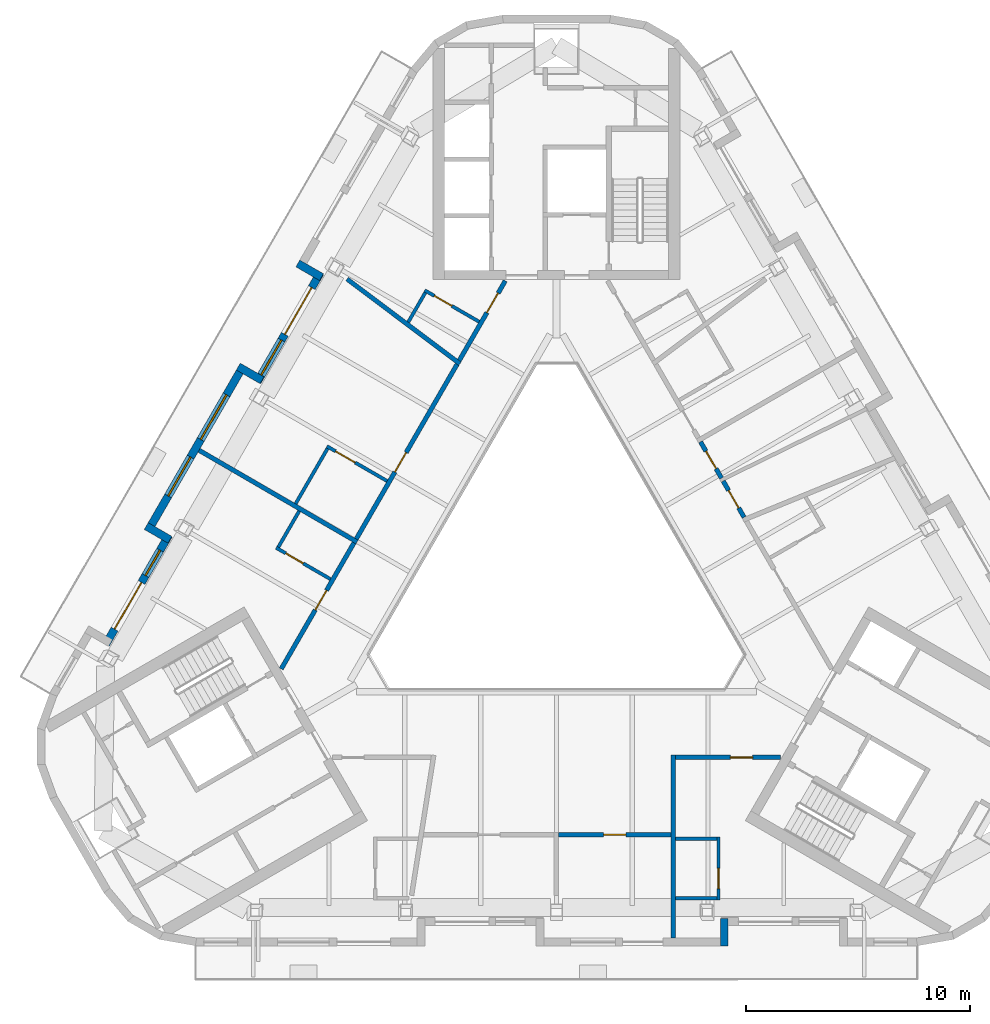
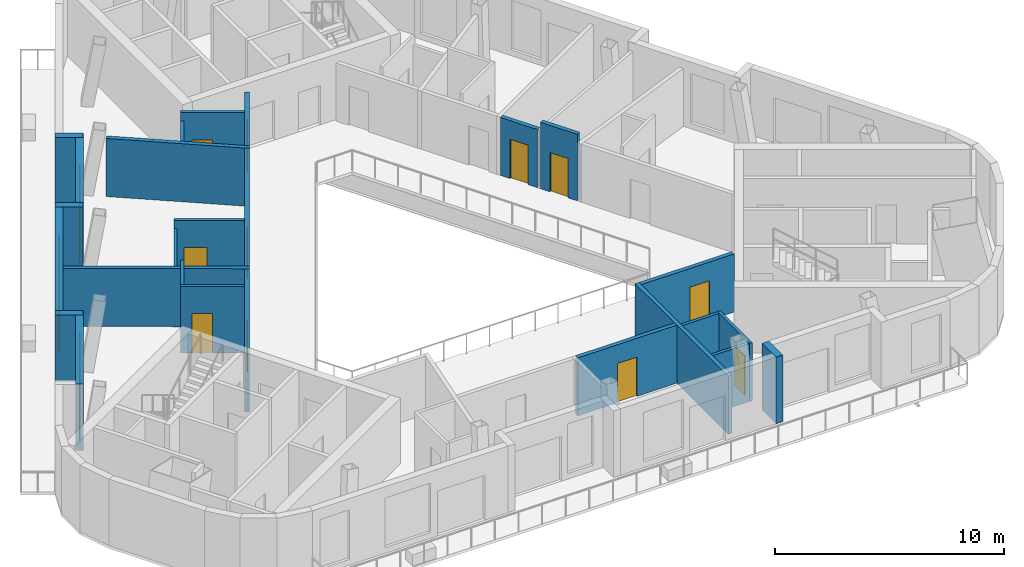
# One storey, part 4 of 11: 26 walls, 13 doors, 4 windows, 17 openings.
"""IFC4 building model written with IfcOpenShell, lengths in metres."""

from ifc_helpers import new_model, si_unit, direction, frame, frame_2d, origin, place, context, subcontext, project, spatial, rectangle, extrude, material, layer, layer_set, type_object, element, fill, save


model = new_model("IFC4")

# Units and contexts
model_context = context("Model", 3, precision=1e-05, world=origin(), true_north=direction((0.0, 1.0)))
body_context = subcontext(model_context, "Body", "Model", "MODEL_VIEW")
ifc_project = project(units=[si_unit("LENGTHUNIT", "METRE"), si_unit("AREAUNIT", "SQUARE_METRE"), si_unit("VOLUMEUNIT", "CUBIC_METRE"), si_unit("PLANEANGLEUNIT", "RADIAN"), si_unit("MASSUNIT", "GRAM", prefix="KILO")], contexts=[model_context])

# Site, building, storey
site_placement = place(None, origin())
site = spatial("IfcSite", under=ifc_project, at=site_placement, CompositionType="ELEMENT")
building_placement = place(site_placement, origin())
building = spatial("IfcBuilding", under=site, at=building_placement, Name="Apuvela Tower Hotel", CompositionType="ELEMENT")
storey_placement = place(building_placement, frame((0.0, 0.0, 309.60009765625)))
storey = spatial("IfcBuildingStorey", under=building, at=storey_placement, Name="L77", CompositionType="ELEMENT", Elevation=309.60009765625)

# Wall
ifc_material_1 = material(Name="Concrete C40/50, dark pigmented precast panel", Category="concrete")
ifc_layer_1 = layer(ifc_material_1, 0.35009765625)
ifc_layer_set_1 = layer_set([ifc_layer_1], Name="ENV-WALL-350")
wall_type_1 = type_object("IfcWallType", Name="ENV-WALL-350", PredefinedType="SOLIDWALL", material=ifc_layer_set_1)
wall_1_placement = place(storey_placement, frame((-11.527587890625, 13.622802734375, 0.0), z_axis=(0.0, 0.0, 1.0), x_axis=(0.866005645448, -0.500034220881, 0.0)))
element("IfcWall", 1, at=wall_1_placement, inside=storey, type_object=wall_type_1, Name="External wall L77-02", PredefinedType="SOLIDWALL", context=body_context, shape_type="SweptSolid", body=[
    extrude(rectangle(XDim=1.22021484375, YDim=0.35009765625, at=frame_2d((0.610107421875, 0.0))), origin(), (0.0, 0.0, 1.0), 3.5498046875),
])

# Wall, openings, door, window
wall_2_placement = place(storey_placement, frame((-10.52392578125, 13.2109375, 0.0), z_axis=(0.0, 0.0, 1.0), x_axis=(-0.500008054862, -0.866020753258, 0.0)))
wall_2 = element("IfcWall", 2, at=wall_2_placement, inside=storey, type_object=wall_type_1, Name="External wall L77-03", PredefinedType="SOLIDWALL", context=body_context, shape_type="SweptSolid", body=[
    extrude(rectangle(XDim=5.59912109375, YDim=0.35009765625, at=frame_2d((2.799560546875, 0.0))), origin(), (0.0, 0.0, 1.0), 3.5498046875),
])
opening_1_placement = place(wall_2_placement, frame((0.77001953125, 0.0, 0.0)))
opening_1 = element("IfcOpeningElement", 3, at=opening_1_placement, cuts=wall_2, Name="Opening BD24", PredefinedType="OPENING", context=body_context, shape_type="SweptSolid", body=[
    extrude(rectangle(XDim=2.39990234375, YDim=2.39990234375, at=frame_2d((1.199951171875, 1.199951171875))), frame((0.0, 0.18505859375, 0.0), z_axis=(0.0, -1.0, 0.0), x_axis=(1.0, 0.0, 0.0)), (0.0, 0.0, 1.0), 0.3701171875),
])
opening_2_placement = place(wall_2_placement, frame((3.47021484375, 0.0, 0.300048828125)))
opening_2 = element("IfcOpeningElement", 4, at=opening_2_placement, cuts=wall_2, Name="Opening WN18", PredefinedType="OPENING", context=body_context, shape_type="SweptSolid", body=[
    extrude(rectangle(XDim=1.800048828125, YDim=2.64990234375, at=frame_2d((0.89990234375, 1.324951171875))), frame((0.0, 0.18505859375, 0.0), z_axis=(0.0, -1.0, 0.0), x_axis=(1.0, 0.0, 0.0)), (0.0, 0.0, 1.0), 0.3701171875),
])
ifc_material_2 = material(Name="Aluminium 6063-T6, dark bronze anodised frame with dark tinted laminated glass", Category="aluminium")
door_type_1 = type_object("IfcDoorType", Name="ENV-DOOR-BALCONY-2400x2400", OperationType="SLIDING_TO_LEFT", PredefinedType="DOOR", material=ifc_material_2)
door_1_placement = place(opening_1_placement, frame((2.39990234375, 0.0, 0.0), z_axis=(0.0, 0.0, 1.0), x_axis=(-1.0, 0.0, 0.0)))
door_1 = element("IfcDoor", 5, at=door_1_placement, inside=storey, type_object=door_type_1, Name="Balcony door BD24", OperationType="SLIDING_TO_LEFT", OverallHeight=2.39990234375, OverallWidth=2.39990234375, PredefinedType="DOOR", context=body_context, shape_type="SweptSolid", body=[
    extrude(rectangle(XDim=2.39990234375, YDim=2.39990234375, at=frame_2d((1.199951171875, 1.199951171875))), frame((0.0, 0.02490234375, 0.0), z_axis=(0.0, -1.0, 0.0), x_axis=(1.0, 0.0, 0.0)), (0.0, 0.0, 1.0), 0.050048828125),
])
fill(opening_1, door_1)
ifc_material_3 = material(Name="Glass, dark tinted laminated insulated glazing unit", Category="glass")
window_type_1 = type_object("IfcWindowType", Name="ENV-WIN-1800x2650", PartitioningType="SINGLE_PANEL", PredefinedType="WINDOW", material=ifc_material_3)
window_1_placement = place(opening_2_placement, origin())
window_1 = element("IfcWindow", 6, at=window_1_placement, inside=storey, type_object=window_type_1, Name="Window WN18", OverallHeight=2.64990234375, OverallWidth=1.800048828125, PartitioningType="SINGLE_PANEL", PredefinedType="WINDOW", context=body_context, shape_type="SweptSolid", body=[
    extrude(rectangle(XDim=1.800048828125, YDim=2.64990234375, at=frame_2d((0.89990234375, 1.324951171875))), frame((0.0, 0.030029296875, 0.0), z_axis=(0.0, -1.0, 0.0), x_axis=(1.0, 0.0, 0.0)), (0.0, 0.0, 1.0), 0.06005859375),
])
fill(opening_2, window_1)

# Wall
wall_3_placement = place(storey_placement, frame((-13.12548828125, 8.4150390625, 0.0), z_axis=(0.0, 0.0, 1.0), x_axis=(-0.865955602162, 0.500120880472, 0.0)))
element("IfcWall", 7, at=wall_3_placement, inside=storey, type_object=wall_type_1, Name="External wall L77-04", PredefinedType="SOLIDWALL", context=body_context, shape_type="SweptSolid", body=[
    extrude(rectangle(XDim=1.219970703125, YDim=0.35009765625, at=frame_2d((0.60986328125, 0.0))), origin(), (0.0, 0.0, 1.0), 3.5498046875),
])

# Wall, openings, windows
wall_4_placement = place(storey_placement, frame((-13.94287109375, 9.089111328125, 0.0), z_axis=(0.0, 0.0, 1.0), x_axis=(-0.500013816581, -0.866017426631, 0.0)))
wall_4 = element("IfcWall", 8, at=wall_4_placement, inside=storey, type_object=wall_type_1, Name="External wall L77-05", PredefinedType="SOLIDWALL", context=body_context, shape_type="SweptSolid", body=[
    extrude(rectangle(XDim=8.558837890625, YDim=0.35009765625, at=frame_2d((4.279296875, 0.0))), origin(), (0.0, 0.0, 1.0), 3.5498046875),
])
opening_3_placement = place(wall_4_placement, frame((1.527587890625, 0.0, 0.300048828125)))
opening_3 = element("IfcOpeningElement", 9, at=opening_3_placement, cuts=wall_4, Name="Opening WN23", PredefinedType="OPENING", context=body_context, shape_type="SweptSolid", body=[
    extrude(rectangle(XDim=2.300048828125, YDim=2.64990234375, at=frame_2d((1.14990234375, 1.324951171875))), frame((0.0, 0.18505859375, 0.0), z_axis=(0.0, -1.0, 0.0), x_axis=(1.0, 0.0, 0.0)), (0.0, 0.0, 1.0), 0.3701171875),
])
opening_4_placement = place(wall_4_placement, frame((4.7294921875, 0.0, 0.300048828125)))
opening_4 = element("IfcOpeningElement", 10, at=opening_4_placement, cuts=wall_4, Name="Opening WN20", PredefinedType="OPENING", context=body_context, shape_type="SweptSolid", body=[
    extrude(rectangle(XDim=2.0, YDim=2.64990234375, at=frame_2d((1.0, 1.324951171875))), frame((0.0, 0.18505859375, 0.0), z_axis=(0.0, -1.0, 0.0), x_axis=(1.0, 0.0, 0.0)), (0.0, 0.0, 1.0), 0.3701171875),
])
window_type_2 = type_object("IfcWindowType", Name="ENV-WIN-2000x2650", PartitioningType="SINGLE_PANEL", PredefinedType="WINDOW", material=ifc_material_3)
window_2_placement = place(opening_4_placement, origin())
window_2 = element("IfcWindow", 11, at=window_2_placement, inside=storey, type_object=window_type_2, Name="Window WN20", OverallHeight=2.64990234375, OverallWidth=2.0, PartitioningType="SINGLE_PANEL", PredefinedType="WINDOW", context=body_context, shape_type="SweptSolid", body=[
    extrude(rectangle(XDim=2.0, YDim=2.64990234375, at=frame_2d((1.0, 1.324951171875))), frame((0.0, 0.030029296875, 0.0), z_axis=(0.0, -1.0, 0.0), x_axis=(1.0, 0.0, 0.0)), (0.0, 0.0, 1.0), 0.06005859375),
])
fill(opening_4, window_2)
window_type_3 = type_object("IfcWindowType", Name="ENV-WIN-2300x2650", PartitioningType="SINGLE_PANEL", PredefinedType="WINDOW", material=ifc_material_3)
window_3_placement = place(opening_3_placement, origin())
window_3 = element("IfcWindow", 12, at=window_3_placement, inside=storey, type_object=window_type_3, Name="Window WN23", OverallHeight=2.64990234375, OverallWidth=2.300048828125, PartitioningType="SINGLE_PANEL", PredefinedType="WINDOW", context=body_context, shape_type="SweptSolid", body=[
    extrude(rectangle(XDim=2.300048828125, YDim=2.64990234375, at=frame_2d((1.14990234375, 1.324951171875))), frame((0.0, 0.030029296875, 0.0), z_axis=(0.0, -1.0, 0.0), x_axis=(1.0, 0.0, 0.0)), (0.0, 0.0, 1.0), 0.06005859375),
])
fill(opening_3, window_3)

# Wall
wall_5_placement = place(storey_placement, frame((-18.28662109375, 1.916015625, 0.0), z_axis=(0.0, 0.0, 1.0), x_axis=(0.866142280446, -0.499797509021, 0.0)))
element("IfcWall", 13, at=wall_5_placement, inside=storey, type_object=wall_type_1, Name="External wall L77-06", PredefinedType="SOLIDWALL", context=body_context, shape_type="SweptSolid", body=[
    extrude(rectangle(XDim=1.22021484375, YDim=0.35009765625, at=frame_2d((0.610107421875, 0.0))), origin(), (0.0, 0.0, 1.0), 3.5498046875),
])

# Wall, openings, door, window
wall_6_placement = place(storey_placement, frame((-17.282958984375, 1.504150390625, 0.0), z_axis=(0.0, 0.0, 1.0), x_axis=(-0.500008054862, -0.866020753258, 0.0)))
wall_6 = element("IfcWall", 14, at=wall_6_placement, inside=storey, type_object=wall_type_1, Name="External wall L77-07", PredefinedType="SOLIDWALL", context=body_context, shape_type="SweptSolid", body=[
    extrude(rectangle(XDim=5.59912109375, YDim=0.35009765625, at=frame_2d((2.799560546875, 0.0))), origin(), (0.0, 0.0, 1.0), 3.5498046875),
])
opening_5_placement = place(wall_6_placement, frame((2.428955078125, 0.0, 0.0)))
opening_5 = element("IfcOpeningElement", 15, at=opening_5_placement, cuts=wall_6, Name="Opening BD24", PredefinedType="OPENING", context=body_context, shape_type="SweptSolid", body=[
    extrude(rectangle(XDim=2.39990234375, YDim=2.39990234375, at=frame_2d((1.199951171875, 1.199951171875))), frame((0.0, 0.18505859375, 0.0), z_axis=(0.0, -1.0, 0.0), x_axis=(1.0, 0.0, 0.0)), (0.0, 0.0, 1.0), 0.3701171875),
])
opening_6_placement = place(wall_6_placement, frame((0.77001953125, 0.0, 0.300048828125)))
opening_6 = element("IfcOpeningElement", 16, at=opening_6_placement, cuts=wall_6, Name="Opening WN13", PredefinedType="OPENING", context=body_context, shape_type="SweptSolid", body=[
    extrude(rectangle(XDim=1.300048828125, YDim=2.64990234375, at=frame_2d((0.64990234375, 1.324951171875))), frame((0.0, 0.18505859375, 0.0), z_axis=(0.0, -1.0, 0.0), x_axis=(1.0, 0.0, 0.0)), (0.0, 0.0, 1.0), 0.3701171875),
])
door_2_placement = place(opening_5_placement, frame((2.39990234375, 0.0, 0.0), z_axis=(0.0, 0.0, 1.0), x_axis=(-1.0, 0.0, 0.0)))
door_2 = element("IfcDoor", 17, at=door_2_placement, inside=storey, type_object=door_type_1, Name="Balcony door BD24", OperationType="SLIDING_TO_LEFT", OverallHeight=2.39990234375, OverallWidth=2.39990234375, PredefinedType="DOOR", context=body_context, shape_type="SweptSolid", body=[
    extrude(rectangle(XDim=2.39990234375, YDim=2.39990234375, at=frame_2d((1.199951171875, 1.199951171875))), frame((0.0, 0.02490234375, 0.0), z_axis=(0.0, -1.0, 0.0), x_axis=(1.0, 0.0, 0.0)), (0.0, 0.0, 1.0), 0.050048828125),
])
fill(opening_5, door_2)
window_type_4 = type_object("IfcWindowType", Name="ENV-WIN-1300x2650", PartitioningType="SINGLE_PANEL", PredefinedType="WINDOW", material=ifc_material_3)
window_4_placement = place(opening_6_placement, origin())
window_4 = element("IfcWindow", 18, at=window_4_placement, inside=storey, type_object=window_type_4, Name="Window WN13", OverallHeight=2.64990234375, OverallWidth=1.300048828125, PartitioningType="SINGLE_PANEL", PredefinedType="WINDOW", context=body_context, shape_type="SweptSolid", body=[
    extrude(rectangle(XDim=1.300048828125, YDim=2.64990234375, at=frame_2d((0.64990234375, 1.324951171875))), frame((0.0, 0.030029296875, 0.0), z_axis=(0.0, -1.0, 0.0), x_axis=(1.0, 0.0, 0.0)), (0.0, 0.0, 1.0), 0.06005859375),
])
fill(opening_6, window_4)

# Walls
wall_7_placement = place(storey_placement, frame((7.48388671875, -16.794677734375, 0.0), z_axis=(0.0, 0.0, 1.0), x_axis=(0.0, 1.0, 0.0)))
element("IfcWall", 19, at=wall_7_placement, inside=storey, type_object=wall_type_1, Name="External wall L77-22", PredefinedType="SOLIDWALL", context=body_context, shape_type="SweptSolid", body=[
    extrude(rectangle(XDim=1.219970703125, YDim=0.35009765625, at=frame_2d((0.60986328125, 0.0))), origin(), (0.0, 0.0, 1.0), 3.5498046875),
])
ifc_material_4 = material(Name="Gypsum board partition on twin steel stud", Category="steel")
ifc_layer_2 = layer(ifc_material_4, 0.199951171875)
ifc_layer_set_2 = layer_set([ifc_layer_2], Name="GST-PW1")
wall_type_2 = type_object("IfcWallType", Name="GST-PW1", PredefinedType="PARTITIONING", material=ifc_layer_set_2)
wall_8_placement = place(storey_placement, frame((5.199951171875, -16.444580078125, 0.0), z_axis=(0.0, 0.0, 1.0), x_axis=(0.0, 1.0, 0.0)))
element("IfcWall", 20, at=wall_8_placement, inside=storey, type_object=wall_type_2, Name="L77 partition 03", PredefinedType="PARTITIONING", context=body_context, shape_type="SweptSolid", body=[
    extrude(rectangle(XDim=8.14453125, YDim=0.199951171875, at=frame_2d((4.072265625, 0.0))), origin(), (0.0, 0.0, 1.0), 3.099853515625),
])
wall_9_placement = place(storey_placement, frame((-9.33447265625, 12.9296875, 0.0), z_axis=(0.0, 0.0, 1.0), x_axis=(0.799864994536, -0.600179965107, 0.0)))
element("IfcWall", 21, at=wall_9_placement, inside=storey, type_object=wall_type_2, Name="L77 partition 07", PredefinedType="PARTITIONING", context=body_context, shape_type="SweptSolid", body=[
    extrude(rectangle(XDim=6.294189453125, YDim=0.199951171875, at=frame_2d((3.14697265625, 0.0))), origin(), (0.0, 0.0, 1.0), 3.099853515625),
])
wall_10_placement = place(storey_placement, frame((-15.93115234375, 5.295654296875, 0.0), z_axis=(0.0, 0.0, 1.0), x_axis=(0.86472973631, -0.502237476839, 0.0)))
element("IfcWall", 22, at=wall_10_placement, inside=storey, type_object=wall_type_2, Name="L77 partition 08", PredefinedType="PARTITIONING", context=body_context, shape_type="SweptSolid", body=[
    extrude(rectangle(XDim=8.144775390625, YDim=0.199951171875, at=frame_2d((4.072265625, 0.0))), origin(), (0.0, 0.0, 1.0), 3.099853515625),
])

# Wall, opening, door
ifc_material_5 = material(Name="Gypsum board corridor wall on twin steel stud, acoustic", Category="steel")
ifc_layer_3 = layer(ifc_material_5, 0.199951171875)
ifc_layer_set_3 = layer_set([ifc_layer_3], Name="GST-PW2")
wall_type_3 = type_object("IfcWallType", Name="GST-PW2", PredefinedType="PARTITIONING", material=ifc_layer_set_3)
wall_11_placement = place(storey_placement, frame((5.10009765625, -11.844482421875, 0.0), z_axis=(0.0, 0.0, 1.0), x_axis=(-1.0, 0.0, 0.0)))
wall_11 = element("IfcWall", 23, at=wall_11_placement, inside=storey, type_object=wall_type_3, Name="L77 partition 14", PredefinedType="PARTITIONING", context=body_context, shape_type="SweptSolid", body=[
    extrude(rectangle(XDim=5.0, YDim=0.199951171875, at=frame_2d((2.5, 0.0))), origin(), (0.0, 0.0, 1.0), 3.099853515625),
])
opening_7_placement = place(wall_11_placement, frame((2.0, 0.0, 0.0)))
opening_7 = element("IfcOpeningElement", 24, at=opening_7_placement, cuts=wall_11, Name="Opening GD32-04", PredefinedType="OPENING", context=body_context, shape_type="SweptSolid", body=[
    extrude(rectangle(XDim=1.0, YDim=2.10009765625, at=frame_2d((0.5, 1.050048828125))), frame((0.0, 0.10986328125, 0.0), z_axis=(0.0, -1.0, 0.0), x_axis=(1.0, 0.0, 0.0)), (0.0, 0.0, 1.0), 0.219970703125),
])
ifc_material_6 = material(Name="Timber door leaf in steel frame", Category="steel")
door_type_2 = type_object("IfcDoorType", Name="GST-D1", OperationType="NOTDEFINED", PredefinedType="DOOR", material=ifc_material_6)
door_3_placement = place(opening_7_placement, origin())
door_3 = element("IfcDoor", 25, at=door_3_placement, inside=storey, type_object=door_type_2, Name="Door L77-04", OperationType="SINGLE_SWING_LEFT", OverallHeight=2.10009765625, OverallWidth=1.0, PredefinedType="DOOR", context=body_context, shape_type="SweptSolid", body=[
    extrude(rectangle(XDim=1.0, YDim=2.10009765625, at=frame_2d((0.5, 1.050048828125))), frame((0.0, 0.02490234375, 0.0), z_axis=(0.0, -1.0, 0.0), x_axis=(1.0, 0.0, 0.0)), (0.0, 0.0, 1.0), 0.050048828125),
])
fill(opening_7, door_3)

wall_12_placement = place(storey_placement, frame((9.98828125, -8.39990234375, 0.0), z_axis=(0.0, 0.0, 1.0), x_axis=(-1.0, 0.0, 0.0)))
wall_12 = element("IfcWall", 26, at=wall_12_placement, inside=storey, type_object=wall_type_3, Name="L77 partition 15", PredefinedType="PARTITIONING", context=body_context, shape_type="SweptSolid", body=[
    extrude(rectangle(XDim=4.688232421875, YDim=0.199951171875, at=frame_2d((2.34423828125, 0.0))), origin(), (0.0, 0.0, 1.0), 3.099853515625),
])
opening_8_placement = place(wall_12_placement, frame((1.23828125, 0.0, 0.0)))
opening_8 = element("IfcOpeningElement", 27, at=opening_8_placement, cuts=wall_12, Name="Opening GD32-06", PredefinedType="OPENING", context=body_context, shape_type="SweptSolid", body=[
    extrude(rectangle(XDim=1.0, YDim=2.10009765625, at=frame_2d((0.5, 1.050048828125))), frame((0.0, 0.10986328125, 0.0), z_axis=(0.0, -1.0, 0.0), x_axis=(1.0, 0.0, 0.0)), (0.0, 0.0, 1.0), 0.219970703125),
])
door_4_placement = place(opening_8_placement, origin())
door_4 = element("IfcDoor", 28, at=door_4_placement, inside=storey, type_object=door_type_2, Name="Door L77-06", OperationType="SINGLE_SWING_LEFT", OverallHeight=2.10009765625, OverallWidth=1.0, PredefinedType="DOOR", context=body_context, shape_type="SweptSolid", body=[
    extrude(rectangle(XDim=1.0, YDim=2.10009765625, at=frame_2d((0.5, 1.050048828125))), frame((0.0, 0.02490234375, 0.0), z_axis=(0.0, -1.0, 0.0), x_axis=(1.0, 0.0, 0.0)), (0.0, 0.0, 1.0), 0.050048828125),
])
fill(opening_8, door_4)

wall_13_placement = place(storey_placement, frame((7.43359375, 3.92431640625, 0.0), z_axis=(0.0, 0.0, 1.0), x_axis=(0.500118569225, -0.865956936987, 0.0)))
wall_13 = element("IfcWall", 29, at=wall_13_placement, inside=storey, type_object=wall_type_3, Name="L77 partition 23", PredefinedType="PARTITIONING", context=body_context, shape_type="SweptSolid", body=[
    extrude(rectangle(XDim=1.8671875, YDim=0.199951171875, at=frame_2d((0.93359375, 0.0))), origin(), (0.0, 0.0, 1.0), 3.5498046875),
])
opening_9_placement = place(wall_13_placement, frame((0.483642578125, 0.0, 0.0)))
opening_9 = element("IfcOpeningElement", 30, at=opening_9_placement, cuts=wall_13, Name="Opening GD32-09", PredefinedType="OPENING", context=body_context, shape_type="SweptSolid", body=[
    extrude(rectangle(XDim=0.89990234375, YDim=2.10009765625, at=frame_2d((0.449951171875, 1.050048828125))), frame((0.0, 0.10986328125, 0.0), z_axis=(0.0, -1.0, 0.0), x_axis=(1.0, 0.0, 0.0)), (0.0, 0.0, 1.0), 0.219970703125),
])
door_type_3 = type_object("IfcDoorType", Name="GST-D2", OperationType="NOTDEFINED", PredefinedType="DOOR", material=ifc_material_6)
door_5_placement = place(opening_9_placement, origin())
door_5 = element("IfcDoor", 31, at=door_5_placement, inside=storey, type_object=door_type_3, Name="Door L77-09", OperationType="SINGLE_SWING_LEFT", OverallHeight=2.10009765625, OverallWidth=0.89990234375, PredefinedType="DOOR", context=body_context, shape_type="SweptSolid", body=[
    extrude(rectangle(XDim=0.89990234375, YDim=2.10009765625, at=frame_2d((0.449951171875, 1.050048828125))), frame((0.0, 0.02490234375, 0.0), z_axis=(0.0, -1.0, 0.0), x_axis=(1.0, 0.0, 0.0)), (0.0, 0.0, 1.0), 0.050048828125),
])
fill(opening_9, door_5)

wall_14_placement = place(storey_placement, frame((6.424560546875, 5.672119140625, 0.0), z_axis=(0.0, 0.0, 1.0), x_axis=(0.499990175874, -0.866031075672, 0.0)))
wall_14 = element("IfcWall", 32, at=wall_14_placement, inside=storey, type_object=wall_type_3, Name="L77 partition 24", PredefinedType="PARTITIONING", context=body_context, shape_type="SweptSolid", body=[
    extrude(rectangle(XDim=1.8681640625, YDim=0.199951171875, at=frame_2d((0.93408203125, 0.0))), origin(), (0.0, 0.0, 1.0), 3.099853515625),
])
opening_10_placement = place(wall_14_placement, frame((0.484130859375, 0.0, 0.0)))
opening_10 = element("IfcOpeningElement", 33, at=opening_10_placement, cuts=wall_14, Name="Opening GD32-10", PredefinedType="OPENING", context=body_context, shape_type="SweptSolid", body=[
    extrude(rectangle(XDim=0.89990234375, YDim=2.10009765625, at=frame_2d((0.449951171875, 1.050048828125))), frame((0.0, 0.10986328125, 0.0), z_axis=(0.0, -1.0, 0.0), x_axis=(1.0, 0.0, 0.0)), (0.0, 0.0, 1.0), 0.219970703125),
])
door_6_placement = place(opening_10_placement, origin())
door_6 = element("IfcDoor", 34, at=door_6_placement, inside=storey, type_object=door_type_3, Name="Door L77-10", OperationType="SINGLE_SWING_RIGHT", OverallHeight=2.10009765625, OverallWidth=0.89990234375, PredefinedType="DOOR", context=body_context, shape_type="SweptSolid", body=[
    extrude(rectangle(XDim=0.89990234375, YDim=2.10009765625, at=frame_2d((0.449951171875, 1.050048828125))), frame((0.0, 0.02490234375, 0.0), z_axis=(0.0, -1.0, 0.0), x_axis=(1.0, 0.0, 0.0)), (0.0, 0.0, 1.0), 0.050048828125),
])
fill(opening_10, door_6)

wall_15_placement = place(storey_placement, frame((-4.330322265625, 9.2998046875, 0.0), z_axis=(0.0, 0.0, 1.0), x_axis=(0.500007699544, 0.866020958405, 0.0)))
wall_15 = element("IfcWall", 35, at=wall_15_placement, inside=storey, type_object=wall_type_3, Name="L77 partition 31", PredefinedType="PARTITIONING", context=body_context, shape_type="SweptSolid", body=[
    extrude(rectangle(XDim=4.099609375, YDim=0.199951171875, at=frame_2d((2.0498046875, 0.0))), origin(), (0.0, 0.0, 1.0), 3.099853515625),
])
opening_11_placement = place(wall_15_placement, frame((2.462158203125, 0.0, 0.0)))
opening_11 = element("IfcOpeningElement", 36, at=opening_11_placement, cuts=wall_15, Name="Opening GD32-16", PredefinedType="OPENING", context=body_context, shape_type="SweptSolid", body=[
    extrude(rectangle(XDim=1.0, YDim=2.10009765625, at=frame_2d((0.5, 1.050048828125))), frame((0.0, 0.10986328125, 0.0), z_axis=(0.0, -1.0, 0.0), x_axis=(1.0, 0.0, 0.0)), (0.0, 0.0, 1.0), 0.219970703125),
])
door_7_placement = place(opening_11_placement, origin())
door_7 = element("IfcDoor", 37, at=door_7_placement, inside=storey, type_object=door_type_2, Name="Door L77-16", OperationType="SINGLE_SWING_RIGHT", OverallHeight=2.10009765625, OverallWidth=1.0, PredefinedType="DOOR", context=body_context, shape_type="SweptSolid", body=[
    extrude(rectangle(XDim=1.0, YDim=2.10009765625, at=frame_2d((0.5, 1.050048828125))), frame((0.0, 0.02490234375, 0.0), z_axis=(0.0, -1.0, 0.0), x_axis=(1.0, 0.0, 0.0)), (0.0, 0.0, 1.0), 0.050048828125),
])
fill(opening_11, door_7)

wall_16_placement = place(storey_placement, frame((-8.9248046875, 1.341796875, 0.0), z_axis=(0.0, 0.0, 1.0), x_axis=(0.500010106406, 0.866019568769, 0.0)))
wall_16 = element("IfcWall", 38, at=wall_16_placement, inside=storey, type_object=wall_type_3, Name="L77 partition 34", PredefinedType="PARTITIONING", context=body_context, shape_type="SweptSolid", body=[
    extrude(rectangle(XDim=8.987548828125, YDim=0.199951171875, at=frame_2d((4.49365234375, 0.0))), origin(), (0.0, 0.0, 1.0), 3.099853515625),
])
opening_12_placement = place(wall_16_placement, frame((3.4501953125, 0.0, 0.0)))
opening_12 = element("IfcOpeningElement", 39, at=opening_12_placement, cuts=wall_16, Name="Opening GD32-18", PredefinedType="OPENING", context=body_context, shape_type="SweptSolid", body=[
    extrude(rectangle(XDim=1.0, YDim=2.10009765625, at=frame_2d((0.5, 1.050048828125))), frame((0.0, 0.10986328125, 0.0), z_axis=(0.0, -1.0, 0.0), x_axis=(1.0, 0.0, 0.0)), (0.0, 0.0, 1.0), 0.219970703125),
])
door_8_placement = place(opening_12_placement, origin())
door_8 = element("IfcDoor", 40, at=door_8_placement, inside=storey, type_object=door_type_2, Name="Door L77-18", OperationType="SINGLE_SWING_RIGHT", OverallHeight=2.10009765625, OverallWidth=1.0, PredefinedType="DOOR", context=body_context, shape_type="SweptSolid", body=[
    extrude(rectangle(XDim=1.0, YDim=2.10009765625, at=frame_2d((0.5, 1.050048828125))), frame((0.0, 0.02490234375, 0.0), z_axis=(0.0, -1.0, 0.0), x_axis=(1.0, 0.0, 0.0)), (0.0, 0.0, 1.0), 0.050048828125),
])
fill(opening_12, door_8)

wall_17_placement = place(storey_placement, frame((-12.268798828125, -4.449951171875, 0.0), z_axis=(0.0, 0.0, 1.0), x_axis=(0.500024296538, 0.866011375717, 0.0)))
wall_17 = element("IfcWall", 41, at=wall_17_placement, inside=storey, type_object=wall_type_3, Name="L77 partition 37", PredefinedType="PARTITIONING", context=body_context, shape_type="SweptSolid", body=[
    extrude(rectangle(XDim=6.488037109375, YDim=0.199951171875, at=frame_2d((3.244140625, 0.0))), origin(), (0.0, 0.0, 1.0), 3.099853515625),
])
opening_13_placement = place(wall_17_placement, frame((3.0380859375, 0.0, 0.0)))
opening_13 = element("IfcOpeningElement", 42, at=opening_13_placement, cuts=wall_17, Name="Opening GD32-20", PredefinedType="OPENING", context=body_context, shape_type="SweptSolid", body=[
    extrude(rectangle(XDim=1.0, YDim=2.10009765625, at=frame_2d((0.5, 1.050048828125))), frame((0.0, 0.10986328125, 0.0), z_axis=(0.0, -1.0, 0.0), x_axis=(1.0, 0.0, 0.0)), (0.0, 0.0, 1.0), 0.219970703125),
])
door_9_placement = place(opening_13_placement, origin())
door_9 = element("IfcDoor", 43, at=door_9_placement, inside=storey, type_object=door_type_2, Name="Door L77-20", OperationType="SINGLE_SWING_LEFT", OverallHeight=2.10009765625, OverallWidth=1.0, PredefinedType="DOOR", context=body_context, shape_type="SweptSolid", body=[
    extrude(rectangle(XDim=1.0, YDim=2.10009765625, at=frame_2d((0.5, 1.050048828125))), frame((0.0, 0.02490234375, 0.0), z_axis=(0.0, -1.0, 0.0), x_axis=(1.0, 0.0, 0.0)), (0.0, 0.0, 1.0), 0.050048828125),
])
fill(opening_13, door_9)

ifc_material_7 = material(Name="Moisture-resistant gypsum board wet wall on steel stud", Category="steel")
ifc_layer_4 = layer(ifc_material_7, 0.14990234375)
ifc_layer_set_4 = layer_set([ifc_layer_4], Name="GST-PW3")
wall_type_4 = type_object("IfcWallType", Name="GST-PW3", PredefinedType="PARTITIONING", material=ifc_layer_set_4)
wall_18_placement = place(storey_placement, frame((7.22509765625, -14.74462890625, 0.0), z_axis=(0.0, 0.0, 1.0), x_axis=(0.0, 1.0, 0.0)))
wall_18 = element("IfcWall", 44, at=wall_18_placement, inside=storey, type_object=wall_type_4, Name="L77 partition 16", PredefinedType="PARTITIONING", context=body_context, shape_type="SweptSolid", body=[
    extrude(rectangle(XDim=2.800048828125, YDim=0.14990234375, at=frame_2d((1.39990234375, 0.0))), origin(), (0.0, 0.0, 1.0), 3.099853515625),
])
opening_14_placement = place(wall_18_placement, frame((0.5, 0.0, 0.0)))
opening_14 = element("IfcOpeningElement", 45, at=opening_14_placement, cuts=wall_18, Name="Opening GD32-05", PredefinedType="OPENING", context=body_context, shape_type="SweptSolid", body=[
    extrude(rectangle(XDim=0.89990234375, YDim=2.10009765625, at=frame_2d((0.449951171875, 1.050048828125))), frame((0.0, 0.0849609375, 0.0), z_axis=(0.0, -1.0, 0.0), x_axis=(1.0, 0.0, 0.0)), (0.0, 0.0, 1.0), 0.169921875),
])
door_10_placement = place(opening_14_placement, origin())
door_10 = element("IfcDoor", 46, at=door_10_placement, inside=storey, type_object=door_type_3, Name="Door L77-05", OperationType="SINGLE_SWING_LEFT", OverallHeight=2.10009765625, OverallWidth=0.89990234375, PredefinedType="DOOR", context=body_context, shape_type="SweptSolid", body=[
    extrude(rectangle(XDim=0.89990234375, YDim=2.10009765625, at=frame_2d((0.449951171875, 1.050048828125))), frame((0.0, 0.02490234375, 0.0), z_axis=(0.0, -1.0, 0.0), x_axis=(1.0, 0.0, 0.0)), (0.0, 0.0, 1.0), 0.050048828125),
])
fill(opening_14, door_10)

# Walls
for number, where, z_axis, x_axis, name in (
    (47, (5.300048828125, -14.669677734375, 0.0), (0.0, 0.0, 1.0), (1.0, 0.0, 0.0), "L77 partition 17"),
    (48, (5.300048828125, -12.01953125, 0.0), (0.0, 0.0, 1.0), (1.0, 0.0, 0.0), "L77 partition 18"),
):
    element("IfcWall", number, at=place(storey_placement, frame(where, z_axis=z_axis, x_axis=x_axis)), inside=storey, type_object=wall_type_4, Name=name, PredefinedType="PARTITIONING", context=body_context, shape_type="SweptSolid", body=[
        extrude(rectangle(XDim=1.849853515625, YDim=0.14990234375, at=frame_2d((0.9248046875, 0.0))), origin(), (0.0, 0.0, 1.0), 3.099853515625),
    ])

# Wall, opening, door
wall_19_placement = place(storey_placement, frame((-3.448486328125, 11.02734375, 0.0), z_axis=(0.0, 0.0, 1.0), x_axis=(-0.866034573852, 0.49998411664, 0.0)))
wall_19 = element("IfcWall", 49, at=wall_19_placement, inside=storey, type_object=wall_type_4, Name="L77 partition 32", PredefinedType="PARTITIONING", context=body_context, shape_type="SweptSolid", body=[
    extrude(rectangle(XDim=2.7998046875, YDim=0.14990234375, at=frame_2d((1.39990234375, 0.0))), origin(), (0.0, 0.0, 1.0), 3.5498046875),
])
opening_15_placement = place(wall_19_placement, frame((1.39990234375, 0.0, 0.0)))
opening_15 = element("IfcOpeningElement", 50, at=opening_15_placement, cuts=wall_19, Name="Opening GD32-15", PredefinedType="OPENING", context=body_context, shape_type="SweptSolid", body=[
    extrude(rectangle(XDim=0.89990234375, YDim=2.10009765625, at=frame_2d((0.449951171875, 1.050048828125))), frame((0.0, 0.0849609375, 0.0), z_axis=(0.0, -1.0, 0.0), x_axis=(1.0, 0.0, 0.0)), (0.0, 0.0, 1.0), 0.169921875),
])
door_11_placement = place(opening_15_placement, origin())
door_11 = element("IfcDoor", 51, at=door_11_placement, inside=storey, type_object=door_type_3, Name="Door L77-15", OperationType="SINGLE_SWING_RIGHT", OverallHeight=2.10009765625, OverallWidth=0.89990234375, PredefinedType="DOOR", context=body_context, shape_type="SweptSolid", body=[
    extrude(rectangle(XDim=0.89990234375, YDim=2.10009765625, at=frame_2d((0.449951171875, 1.050048828125))), frame((0.0, 0.02490234375, 0.0), z_axis=(0.0, -1.0, 0.0), x_axis=(1.0, 0.0, 0.0)), (0.0, 0.0, 1.0), 0.050048828125),
])
fill(opening_15, door_11)

# Wall
wall_20_placement = place(storey_placement, frame((-5.845703125, 12.32470703125, 0.0), z_axis=(0.0, 0.0, 1.0), x_axis=(-0.500023511883, -0.866011828767, 0.0)))
element("IfcWall", 52, at=wall_20_placement, inside=storey, type_object=wall_type_4, Name="L77 partition 33", PredefinedType="PARTITIONING", context=body_context, shape_type="SweptSolid", body=[
    extrude(rectangle(XDim=1.52099609375, YDim=0.14990234375, at=frame_2d((0.760498046875, 0.0))), origin(), (0.0, 0.0, 1.0), 3.099853515625),
])

# Wall, opening, door
wall_21_placement = place(storey_placement, frame((-7.548583984375, 3.92529296875, 0.0), z_axis=(0.0, 0.0, 1.0), x_axis=(-0.866063626216, 0.499933790963, 0.0)))
wall_21 = element("IfcWall", 53, at=wall_21_placement, inside=storey, type_object=wall_type_4, Name="L77 partition 35", PredefinedType="PARTITIONING", context=body_context, shape_type="SweptSolid", body=[
    extrude(rectangle(XDim=3.10009765625, YDim=0.14990234375, at=frame_2d((1.550048828125, 0.0))), origin(), (0.0, 0.0, 1.0), 3.5498046875),
])
opening_16_placement = place(wall_21_placement, frame((1.64990234375, 0.0, 0.0)))
opening_16 = element("IfcOpeningElement", 54, at=opening_16_placement, cuts=wall_21, Name="Opening GD32-17", PredefinedType="OPENING", context=body_context, shape_type="SweptSolid", body=[
    extrude(rectangle(XDim=1.0, YDim=2.10009765625, at=frame_2d((0.5, 1.050048828125))), frame((0.0, 0.0849609375, 0.0), z_axis=(0.0, -1.0, 0.0), x_axis=(1.0, 0.0, 0.0)), (0.0, 0.0, 1.0), 0.169921875),
])
door_12_placement = place(opening_16_placement, origin())
door_12 = element("IfcDoor", 55, at=door_12_placement, inside=storey, type_object=door_type_2, Name="Door L77-17", OperationType="SINGLE_SWING_RIGHT", OverallHeight=2.10009765625, OverallWidth=1.0, PredefinedType="DOOR", context=body_context, shape_type="SweptSolid", body=[
    extrude(rectangle(XDim=1.0, YDim=2.10009765625, at=frame_2d((0.5, 1.050048828125))), frame((0.0, 0.02490234375, 0.0), z_axis=(0.0, -1.0, 0.0), x_axis=(1.0, 0.0, 0.0)), (0.0, 0.0, 1.0), 0.050048828125),
])
fill(opening_16, door_12)

# Wall
wall_22_placement = place(storey_placement, frame((-10.205810546875, 5.372802734375, 0.0), z_axis=(0.0, 0.0, 1.0), x_axis=(-0.500009958894, -0.866019653938, 0.0)))
element("IfcWall", 56, at=wall_22_placement, inside=storey, type_object=wall_type_4, Name="L77 partition 36", PredefinedType="PARTITIONING", context=body_context, shape_type="SweptSolid", body=[
    extrude(rectangle(XDim=2.84228515625, YDim=0.14990234375, at=frame_2d((1.421142578125, 0.0))), origin(), (0.0, 0.0, 1.0), 3.099853515625),
])

# Wall, opening, door
wall_23_placement = place(storey_placement, frame((-12.49853515625, 0.951904296875, 0.0), z_axis=(0.0, 0.0, 1.0), x_axis=(0.865996816683, -0.500049511043, 0.0)))
wall_23 = element("IfcWall", 57, at=wall_23_placement, inside=storey, type_object=wall_type_4, Name="L77 partition 38", PredefinedType="PARTITIONING", context=body_context, shape_type="SweptSolid", body=[
    extrude(rectangle(XDim=2.800048828125, YDim=0.14990234375, at=frame_2d((1.39990234375, 0.0))), origin(), (0.0, 0.0, 1.0), 3.5498046875),
])
opening_17_placement = place(wall_23_placement, frame((0.5, 0.0, 0.0)))
opening_17 = element("IfcOpeningElement", 58, at=opening_17_placement, cuts=wall_23, Name="Opening GD32-19", PredefinedType="OPENING", context=body_context, shape_type="SweptSolid", body=[
    extrude(rectangle(XDim=0.89990234375, YDim=2.10009765625, at=frame_2d((0.449951171875, 1.050048828125))), frame((0.0, 0.0849609375, 0.0), z_axis=(0.0, -1.0, 0.0), x_axis=(1.0, 0.0, 0.0)), (0.0, 0.0, 1.0), 0.169921875),
])
door_13_placement = place(opening_17_placement, origin())
door_13 = element("IfcDoor", 59, at=door_13_placement, inside=storey, type_object=door_type_3, Name="Door L77-19", OperationType="SINGLE_SWING_LEFT", OverallHeight=2.10009765625, OverallWidth=0.89990234375, PredefinedType="DOOR", context=body_context, shape_type="SweptSolid", body=[
    extrude(rectangle(XDim=0.89990234375, YDim=2.10009765625, at=frame_2d((0.449951171875, 1.050048828125))), frame((0.0, 0.02490234375, 0.0), z_axis=(0.0, -1.0, 0.0), x_axis=(1.0, 0.0, 0.0)), (0.0, 0.0, 1.0), 0.050048828125),
])
fill(opening_17, door_13)

# Wall
wall_24_placement = place(storey_placement, frame((-11.467529296875, 2.58740234375, 0.0), z_axis=(0.0, 0.0, 1.0), x_axis=(-0.499999386358, -0.86602575807, 0.0)))
element("IfcWall", 60, at=wall_24_placement, inside=storey, type_object=wall_type_4, Name="L77 partition 39", PredefinedType="PARTITIONING", context=body_context, shape_type="SweptSolid", body=[
    extrude(rectangle(XDim=1.85693359375, YDim=0.14990234375, at=frame_2d((0.928466796875, 0.0))), origin(), (0.0, 0.0, 1.0), 3.5498046875),
])

save(model, "model.ifc")
